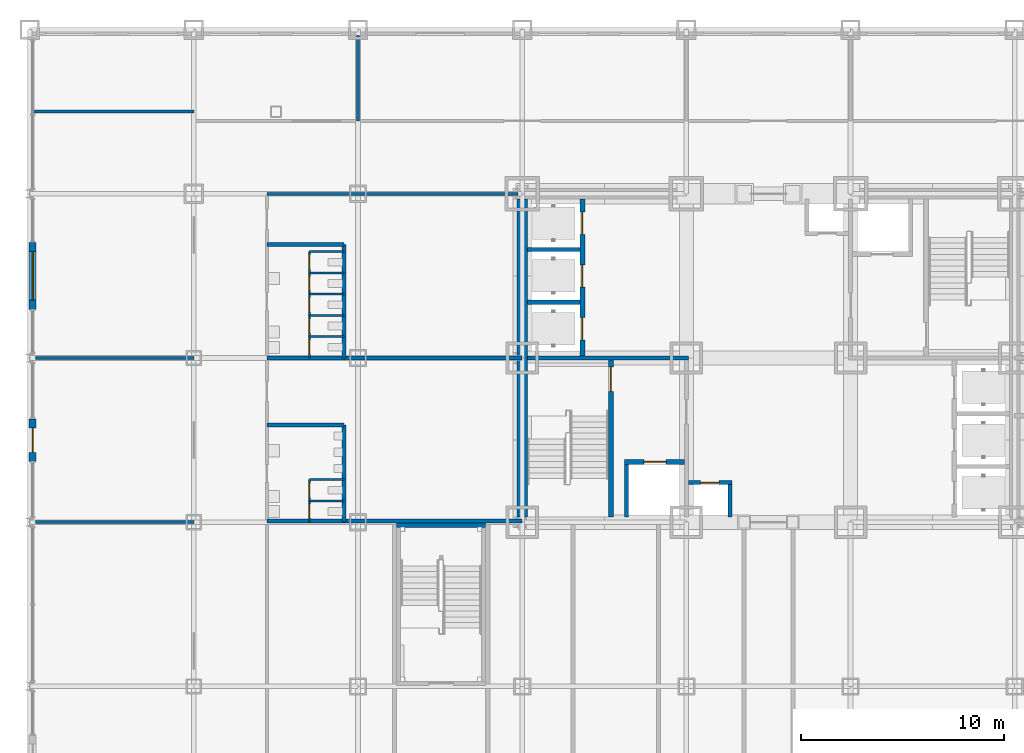
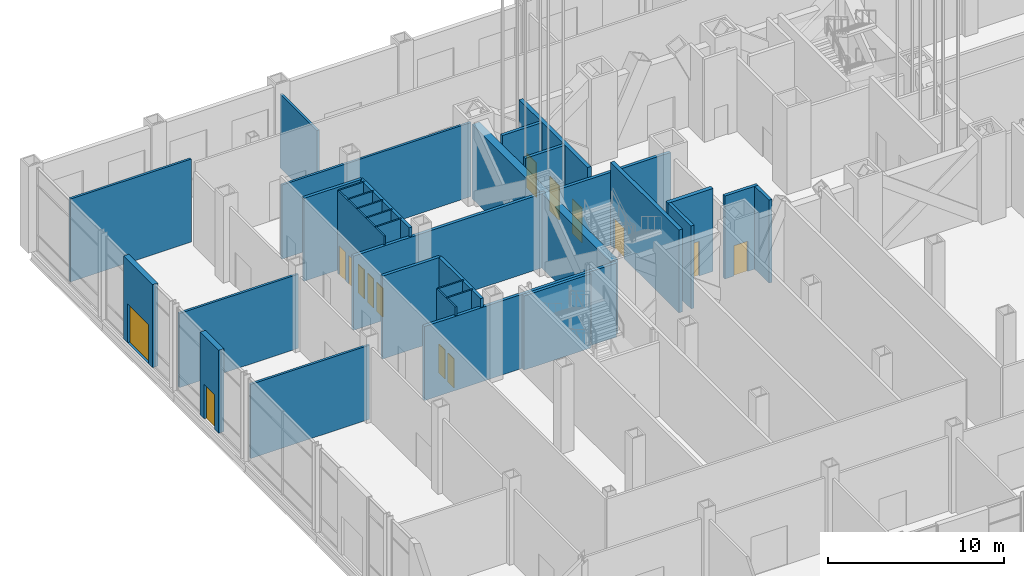
# One storey, part 24 of 35: 33 walls, 15 doors, 15 openings.
"""IFC4 building model written with IfcOpenShell, lengths in metres."""

from ifc_helpers import new_model, si_unit, direction, frame, frame_2d, origin, place, context, subcontext, project, spatial, rectangle, extrude, material, layer, layer_set, type_object, element, fill, save


model = new_model("IFC4")

# Units and contexts
model_context = context("Model", 3, precision=1e-05, world=origin(), true_north=direction((0.0, 1.0)))
body_context = subcontext(model_context, "Body", "Model", "MODEL_VIEW")
ifc_project = project(units=[si_unit("LENGTHUNIT", "METRE"), si_unit("AREAUNIT", "SQUARE_METRE"), si_unit("VOLUMEUNIT", "CUBIC_METRE"), si_unit("PLANEANGLEUNIT", "RADIAN"), si_unit("MASSUNIT", "GRAM", prefix="KILO")], contexts=[model_context])

# Site, building, storey
site_placement = place(None, origin())
site = spatial("IfcSite", under=ifc_project, at=site_placement, CompositionType="ELEMENT")
building_placement = place(site_placement, origin())
building = spatial("IfcBuilding", under=site, at=building_placement, Name="Kopane Lantern Tower", CompositionType="ELEMENT")
storey_placement = place(building_placement, origin())
storey = spatial("IfcBuildingStorey", under=building, at=storey_placement, Name="L00", CompositionType="ELEMENT", Elevation=0.0)

# Wall, openings, doors
ifc_material_1 = material(Name="Moisture-resistant board on steel studs", Category="steel")
ifc_layer_1 = layer(ifc_material_1, 0.10009765625)
ifc_layer_set_1 = layer_set([ifc_layer_1], Name="BATHROOM WALL 100")
wall_type_1 = type_object("IfcWallType", Name="BATHROOM WALL 100", PredefinedType="PARTITIONING", material=ifc_layer_set_1)
wall_1_placement = place(storey_placement, frame((5.699951171875, 24.300048828125, 0.0), z_axis=(0.0, 0.0, 1.0), x_axis=(0.0, 1.0, 0.0)))
wall_1 = element("IfcWall", 1, at=wall_1_placement, inside=storey, type_object=wall_type_1, Name="Bathroom Wall 100 L00", PredefinedType="PARTITIONING", context=body_context, shape_type="SweptSolid", body=[
    extrude(rectangle(XDim=2.099853515625, YDim=0.10009765625, at=frame_2d((1.0498046875, 0.0))), origin(), (0.0, 0.0, 1.0), 5.75),
])
opening_1_placement = place(wall_1_placement, frame((0.199951171875, 0.0, 0.0)))
opening_1 = element("IfcOpeningElement", 2, at=opening_1_placement, cuts=wall_1, Name="Opening L00-030", PredefinedType="OPENING", context=body_context, shape_type="SweptSolid", body=[
    extrude(rectangle(XDim=0.699951171875, YDim=2.0, at=frame_2d((0.35009765625, 1.0))), frame((0.0, 0.06005859375, 0.0), z_axis=(0.0, -1.0, 0.0), x_axis=(1.0, 0.0, 0.0)), (0.0, 0.0, 1.0), 0.1201171875),
])
opening_2_placement = place(wall_1_placement, frame((1.22509765625, 0.0, 0.0)))
opening_2 = element("IfcOpeningElement", 3, at=opening_2_placement, cuts=wall_1, Name="Opening L00-031", PredefinedType="OPENING", context=body_context, shape_type="SweptSolid", body=[
    extrude(rectangle(XDim=0.699951171875, YDim=2.0, at=frame_2d((0.35009765625, 1.0))), frame((0.0, 0.06005859375, 0.0), z_axis=(0.0, -1.0, 0.0), x_axis=(1.0, 0.0, 0.0)), (0.0, 0.0, 1.0), 0.1201171875),
])
ifc_material_2 = material(Name="Timber door set", Category="wood")
door_type_1 = type_object("IfcDoorType", Name="DOOR D13 700x2000 WC CUBICLE", OperationType="SINGLE_SWING_LEFT", PredefinedType="DOOR", material=ifc_material_2)
door_1_placement = place(opening_1_placement, origin())
door_1 = element("IfcDoor", 4, at=door_1_placement, inside=storey, type_object=door_type_1, Name="Door L00-030", OperationType="SINGLE_SWING_LEFT", OverallHeight=2.0, OverallWidth=0.699951171875, PredefinedType="DOOR", context=body_context, shape_type="SweptSolid", body=[
    extrude(rectangle(XDim=0.699951171875, YDim=2.0, at=frame_2d((0.35009765625, 1.0))), frame((0.0, 0.02490234375, 0.0), z_axis=(0.0, -1.0, 0.0), x_axis=(1.0, 0.0, 0.0)), (0.0, 0.0, 1.0), 0.050048828125),
])
fill(opening_1, door_1)
door_2_placement = place(opening_2_placement, origin())
door_2 = element("IfcDoor", 5, at=door_2_placement, inside=storey, type_object=door_type_1, Name="Door L00-031", OperationType="SINGLE_SWING_RIGHT", OverallHeight=2.0, OverallWidth=0.699951171875, PredefinedType="DOOR", context=body_context, shape_type="SweptSolid", body=[
    extrude(rectangle(XDim=0.699951171875, YDim=2.0, at=frame_2d((0.35009765625, 1.0))), frame((0.0, 0.02490234375, 0.0), z_axis=(0.0, -1.0, 0.0), x_axis=(1.0, 0.0, 0.0)), (0.0, 0.0, 1.0), 0.050048828125),
])
fill(opening_2, door_2)

# Walls
for number, where, z_axis, x_axis, name in (
    (6, (5.699951171875, 25.35009765625, 0.0), (0.0, 0.0, 1.0), (1.0, 0.0, 0.0), "Bathroom Wall 100 L00"),
    (7, (5.699951171875, 26.39990234375, 0.0), (0.0, 0.0, 1.0), (1.0, 0.0, 0.0), "Bathroom Wall 100 L00"),
):
    element("IfcWall", number, at=place(storey_placement, frame(where, z_axis=z_axis, x_axis=x_axis)), inside=storey, type_object=wall_type_1, Name=name, PredefinedType="PARTITIONING", context=body_context, shape_type="SweptSolid", body=[
        extrude(rectangle(XDim=1.699951171875, YDim=0.10009765625, at=frame_2d((0.85009765625, 0.0))), origin(), (0.0, 0.0, 1.0), 5.75),
    ])

# Wall, openings, doors
wall_2_placement = place(storey_placement, frame((5.699951171875, 32.39990234375, 0.0), z_axis=(0.0, 0.0, 1.0), x_axis=(0.0, 1.0, 0.0)))
wall_2 = element("IfcWall", 8, at=wall_2_placement, inside=storey, type_object=wall_type_1, Name="Bathroom Wall 100 L00", PredefinedType="PARTITIONING", context=body_context, shape_type="SweptSolid", body=[
    extrude(rectangle(XDim=5.25, YDim=0.10009765625, at=frame_2d((2.625, 0.0))), origin(), (0.0, 0.0, 1.0), 5.75),
])
opening_3_placement = place(wall_2_placement, frame((0.199951171875, 0.0, 0.0)))
opening_3 = element("IfcOpeningElement", 9, at=opening_3_placement, cuts=wall_2, Name="Opening L00-032", PredefinedType="OPENING", context=body_context, shape_type="SweptSolid", body=[
    extrude(rectangle(XDim=0.699951171875, YDim=2.0, at=frame_2d((0.35009765625, 1.0))), frame((0.0, 0.06005859375, 0.0), z_axis=(0.0, -1.0, 0.0), x_axis=(1.0, 0.0, 0.0)), (0.0, 0.0, 1.0), 0.1201171875),
])
opening_4_placement = place(wall_2_placement, frame((1.22509765625, 0.0, 0.0)))
opening_4 = element("IfcOpeningElement", 10, at=opening_4_placement, cuts=wall_2, Name="Opening L00-033", PredefinedType="OPENING", context=body_context, shape_type="SweptSolid", body=[
    extrude(rectangle(XDim=0.699951171875, YDim=2.0, at=frame_2d((0.35009765625, 1.0))), frame((0.0, 0.06005859375, 0.0), z_axis=(0.0, -1.0, 0.0), x_axis=(1.0, 0.0, 0.0)), (0.0, 0.0, 1.0), 0.1201171875),
])
opening_5_placement = place(wall_2_placement, frame((2.27490234375, 0.0, 0.0)))
opening_5 = element("IfcOpeningElement", 11, at=opening_5_placement, cuts=wall_2, Name="Opening L00-034", PredefinedType="OPENING", context=body_context, shape_type="SweptSolid", body=[
    extrude(rectangle(XDim=0.699951171875, YDim=2.0, at=frame_2d((0.35009765625, 1.0))), frame((0.0, 0.06005859375, 0.0), z_axis=(0.0, -1.0, 0.0), x_axis=(1.0, 0.0, 0.0)), (0.0, 0.0, 1.0), 0.1201171875),
])
opening_6_placement = place(wall_2_placement, frame((3.324951171875, 0.0, 0.0)))
opening_6 = element("IfcOpeningElement", 12, at=opening_6_placement, cuts=wall_2, Name="Opening L00-035", PredefinedType="OPENING", context=body_context, shape_type="SweptSolid", body=[
    extrude(rectangle(XDim=0.699951171875, YDim=2.0, at=frame_2d((0.35009765625, 1.0))), frame((0.0, 0.06005859375, 0.0), z_axis=(0.0, -1.0, 0.0), x_axis=(1.0, 0.0, 0.0)), (0.0, 0.0, 1.0), 0.1201171875),
])
opening_7_placement = place(wall_2_placement, frame((4.375, 0.0, 0.0)))
opening_7 = element("IfcOpeningElement", 13, at=opening_7_placement, cuts=wall_2, Name="Opening L00-036", PredefinedType="OPENING", context=body_context, shape_type="SweptSolid", body=[
    extrude(rectangle(XDim=0.699951171875, YDim=2.0, at=frame_2d((0.35009765625, 1.0))), frame((0.0, 0.06005859375, 0.0), z_axis=(0.0, -1.0, 0.0), x_axis=(1.0, 0.0, 0.0)), (0.0, 0.0, 1.0), 0.1201171875),
])
door_3_placement = place(opening_3_placement, origin())
door_3 = element("IfcDoor", 14, at=door_3_placement, inside=storey, type_object=door_type_1, Name="Door L00-032", OperationType="SINGLE_SWING_LEFT", OverallHeight=2.0, OverallWidth=0.699951171875, PredefinedType="DOOR", context=body_context, shape_type="SweptSolid", body=[
    extrude(rectangle(XDim=0.699951171875, YDim=2.0, at=frame_2d((0.35009765625, 1.0))), frame((0.0, 0.02490234375, 0.0), z_axis=(0.0, -1.0, 0.0), x_axis=(1.0, 0.0, 0.0)), (0.0, 0.0, 1.0), 0.050048828125),
])
fill(opening_3, door_3)
door_4_placement = place(opening_4_placement, origin())
door_4 = element("IfcDoor", 15, at=door_4_placement, inside=storey, type_object=door_type_1, Name="Door L00-033", OperationType="SINGLE_SWING_RIGHT", OverallHeight=2.0, OverallWidth=0.699951171875, PredefinedType="DOOR", context=body_context, shape_type="SweptSolid", body=[
    extrude(rectangle(XDim=0.699951171875, YDim=2.0, at=frame_2d((0.35009765625, 1.0))), frame((0.0, 0.02490234375, 0.0), z_axis=(0.0, -1.0, 0.0), x_axis=(1.0, 0.0, 0.0)), (0.0, 0.0, 1.0), 0.050048828125),
])
fill(opening_4, door_4)
door_5_placement = place(opening_5_placement, origin())
door_5 = element("IfcDoor", 16, at=door_5_placement, inside=storey, type_object=door_type_1, Name="Door L00-034", OperationType="SINGLE_SWING_LEFT", OverallHeight=2.0, OverallWidth=0.699951171875, PredefinedType="DOOR", context=body_context, shape_type="SweptSolid", body=[
    extrude(rectangle(XDim=0.699951171875, YDim=2.0, at=frame_2d((0.35009765625, 1.0))), frame((0.0, 0.02490234375, 0.0), z_axis=(0.0, -1.0, 0.0), x_axis=(1.0, 0.0, 0.0)), (0.0, 0.0, 1.0), 0.050048828125),
])
fill(opening_5, door_5)
door_6_placement = place(opening_6_placement, origin())
door_6 = element("IfcDoor", 17, at=door_6_placement, inside=storey, type_object=door_type_1, Name="Door L00-035", OperationType="SINGLE_SWING_RIGHT", OverallHeight=2.0, OverallWidth=0.699951171875, PredefinedType="DOOR", context=body_context, shape_type="SweptSolid", body=[
    extrude(rectangle(XDim=0.699951171875, YDim=2.0, at=frame_2d((0.35009765625, 1.0))), frame((0.0, 0.02490234375, 0.0), z_axis=(0.0, -1.0, 0.0), x_axis=(1.0, 0.0, 0.0)), (0.0, 0.0, 1.0), 0.050048828125),
])
fill(opening_6, door_6)
door_7_placement = place(opening_7_placement, origin())
door_7 = element("IfcDoor", 18, at=door_7_placement, inside=storey, type_object=door_type_1, Name="Door L00-036", OperationType="SINGLE_SWING_LEFT", OverallHeight=2.0, OverallWidth=0.699951171875, PredefinedType="DOOR", context=body_context, shape_type="SweptSolid", body=[
    extrude(rectangle(XDim=0.699951171875, YDim=2.0, at=frame_2d((0.35009765625, 1.0))), frame((0.0, 0.02490234375, 0.0), z_axis=(0.0, -1.0, 0.0), x_axis=(1.0, 0.0, 0.0)), (0.0, 0.0, 1.0), 0.050048828125),
])
fill(opening_7, door_7)

# Walls
for number, where, z_axis, x_axis, name in (
    (19, (5.699951171875, 33.449951171875, 0.0), (0.0, 0.0, 1.0), (1.0, 0.0, 0.0), "Bathroom Wall 100 L00"),
    (20, (5.699951171875, 34.5, 0.0), (0.0, 0.0, 1.0), (1.0, 0.0, 0.0), "Bathroom Wall 100 L00"),
    (21, (5.699951171875, 35.550048828125, 0.0), (0.0, 0.0, 1.0), (1.0, 0.0, 0.0), "Bathroom Wall 100 L00"),
    (22, (5.699951171875, 36.60009765625, 0.0), (0.0, 0.0, 1.0), (1.0, 0.0, 0.0), "Bathroom Wall 100 L00"),
    (23, (5.699951171875, 37.64990234375, 0.0), (0.0, 0.0, 1.0), (1.0, 0.0, 0.0), "Bathroom Wall 100 L00"),
):
    element("IfcWall", number, at=place(storey_placement, frame(where, z_axis=z_axis, x_axis=x_axis)), inside=storey, type_object=wall_type_1, Name=name, PredefinedType="PARTITIONING", context=body_context, shape_type="SweptSolid", body=[
        extrude(rectangle(XDim=1.699951171875, YDim=0.10009765625, at=frame_2d((0.85009765625, 0.0))), origin(), (0.0, 0.0, 1.0), 5.75),
    ])
ifc_material_3 = material(Name="Gypsum shaft wall EI 120", Category="gypsum")
ifc_layer_2 = layer(ifc_material_3, 0.5)
ifc_layer_set_2 = layer_set([ifc_layer_2], Name="CORE PERIMETER WALL 500 EI 120")
wall_type_2 = type_object("IfcWallType", Name="CORE PERIMETER WALL 500 EI 120", PredefinedType="SOLIDWALL", material=ifc_layer_set_2)
wall_3_placement = place(storey_placement, frame((16.199951171875, 24.550048828125, 0.0), z_axis=(0.0, 0.0, 1.0), x_axis=(0.0, 1.0, 0.0)))
element("IfcWall", 24, at=wall_3_placement, inside=storey, type_object=wall_type_2, Name="Core shaft wall L00 PW", PredefinedType="SOLIDWALL", context=body_context, shape_type="SweptSolid", body=[
    extrude(rectangle(XDim=15.699951171875, YDim=0.5, at=frame_2d((7.85009765625, 0.0))), origin(), (0.0, 0.0, 1.0), 5.1376953125),
])

# Wall, opening, door
ifc_material_4 = material(Name="Gypsum shaft wall EI 120", Category="gypsum")
ifc_layer_3 = layer(ifc_material_4, 0.25)
ifc_layer_set_3 = layer_set([ifc_layer_3], Name="CORE SHAFT WALL 250 EI 120")
wall_type_3 = type_object("IfcWallType", Name="CORE SHAFT WALL 250 EI 120", PredefinedType="SOLIDWALL", material=ifc_layer_set_3)
wall_4_placement = place(storey_placement, frame((20.574951171875, 24.550048828125, 0.0), z_axis=(0.0, 0.0, 1.0), x_axis=(0.0, 1.0, 0.0)))
wall_4 = element("IfcWall", 25, at=wall_4_placement, inside=storey, type_object=wall_type_3, Name="Core shaft wall L00 XST1", PredefinedType="SOLIDWALL", context=body_context, shape_type="SweptSolid", body=[
    extrude(rectangle(XDim=7.75, YDim=0.25, at=frame_2d((3.875, 0.0))), origin(), (0.0, 0.0, 1.0), 5.75),
])
opening_8_placement = place(wall_4_placement, frame((6.199951171875, 0.0, 0.0)))
opening_8 = element("IfcOpeningElement", 26, at=opening_8_placement, cuts=wall_4, Name="Opening 00.SD1", PredefinedType="OPENING", context=body_context, shape_type="SweptSolid", body=[
    extrude(rectangle(XDim=1.199951171875, YDim=2.10009765625, at=frame_2d((0.60009765625, 1.050048828125))), frame((0.0, 0.135009765625, 0.0), z_axis=(0.0, -1.0, 0.0), x_axis=(1.0, 0.0, 0.0)), (0.0, 0.0, 1.0), 0.27001953125),
])
ifc_material_5 = material(Name="Steel door set", Category="steel")
door_type_2 = type_object("IfcDoorType", Name="STAIR DOOR 1200x2100 FD60S", OperationType="SINGLE_SWING_LEFT", PredefinedType="DOOR", material=ifc_material_5)
door_8_placement = place(opening_8_placement, origin())
door_8 = element("IfcDoor", 27, at=door_8_placement, inside=storey, type_object=door_type_2, Name="Stair door ST1 L00", OperationType="SINGLE_SWING_LEFT", OverallHeight=2.10009765625, OverallWidth=1.199951171875, PredefinedType="DOOR", context=body_context, shape_type="SweptSolid", body=[
    extrude(rectangle(XDim=1.199951171875, YDim=2.10009765625, at=frame_2d((0.60009765625, 1.050048828125))), frame((0.0, 0.02490234375, 0.0), z_axis=(0.0, -1.0, 0.0), x_axis=(1.0, 0.0, 0.0)), (0.0, 0.0, 1.0), 0.050048828125),
])
fill(opening_8, door_8)

wall_5_placement = place(storey_placement, frame((21.25, 27.27490234375, 0.0), z_axis=(0.0, 0.0, 1.0), x_axis=(1.0, 0.0, 0.0)))
wall_5 = element("IfcWall", 28, at=wall_5_placement, inside=storey, type_object=wall_type_3, Name="Core shaft wall L00 YLF1", PredefinedType="SOLIDWALL", context=body_context, shape_type="SweptSolid", body=[
    extrude(rectangle(XDim=2.949951171875, YDim=0.25, at=frame_2d((1.47509765625, 0.0))), origin(), (0.0, 0.0, 1.0), 5.75),
])
opening_9_placement = place(wall_5_placement, frame((0.949951171875, 0.0, 0.0)))
opening_9 = element("IfcOpeningElement", 29, at=opening_9_placement, cuts=wall_5, Name="Opening 00.LD-LF1", PredefinedType="OPENING", context=body_context, shape_type="SweptSolid", body=[
    extrude(rectangle(XDim=1.10009765625, YDim=2.39990234375, at=frame_2d((0.550048828125, 1.199951171875))), frame((0.0, 0.135009765625, 0.0), z_axis=(0.0, -1.0, 0.0), x_axis=(1.0, 0.0, 0.0)), (0.0, 0.0, 1.0), 0.27001953125),
])
ifc_material_6 = material(Name="Steel door set", Category="steel")
door_type_3 = type_object("IfcDoorType", Name="LIFT LANDING DOOR 1100x2400 FD60", OperationType="DOUBLE_DOOR_SLIDING", PredefinedType="DOOR", material=ifc_material_6)
door_9_placement = place(opening_9_placement, origin())
door_9 = element("IfcDoor", 30, at=door_9_placement, inside=storey, type_object=door_type_3, Name="Landing door LF1 L00", OperationType="DOUBLE_DOOR_SLIDING", OverallHeight=2.39990234375, OverallWidth=1.10009765625, PredefinedType="DOOR", context=body_context, shape_type="SweptSolid", body=[
    extrude(rectangle(XDim=1.10009765625, YDim=2.39990234375, at=frame_2d((0.550048828125, 1.199951171875))), frame((0.0, 0.02490234375, 0.0), z_axis=(0.0, -1.0, 0.0), x_axis=(1.0, 0.0, 0.0)), (0.0, 0.0, 1.0), 0.050048828125),
])
fill(opening_9, door_9)

# Wall, openings, doors
wall_6_placement = place(storey_placement, frame((19.175048828125, 32.5, 0.0), z_axis=(0.0, 0.0, 1.0), x_axis=(0.0, 1.0, 0.0)))
wall_6 = element("IfcWall", 31, at=wall_6_placement, inside=storey, type_object=wall_type_3, Name="Core shaft wall L00 XLH", PredefinedType="SOLIDWALL", context=body_context, shape_type="SweptSolid", body=[
    extrude(rectangle(XDim=7.75, YDim=0.25, at=frame_2d((3.875, 0.0))), origin(), (0.0, 0.0, 1.0), 5.75),
])
opening_10_placement = place(wall_6_placement, frame((0.800048828125, 0.0, 0.0)))
opening_10 = element("IfcOpeningElement", 32, at=opening_10_placement, cuts=wall_6, Name="Opening 00.LD-LH1", PredefinedType="OPENING", context=body_context, shape_type="SweptSolid", body=[
    extrude(rectangle(XDim=1.10009765625, YDim=2.39990234375, at=frame_2d((0.550048828125, 1.199951171875))), frame((0.0, 0.135009765625, 0.0), z_axis=(0.0, -1.0, 0.0), x_axis=(1.0, 0.0, 0.0)), (0.0, 0.0, 1.0), 0.27001953125),
])
opening_11_placement = place(wall_6_placement, frame((3.39990234375, 0.0, 0.0)))
opening_11 = element("IfcOpeningElement", 33, at=opening_11_placement, cuts=wall_6, Name="Opening 00.LD-LH2", PredefinedType="OPENING", context=body_context, shape_type="SweptSolid", body=[
    extrude(rectangle(XDim=1.10009765625, YDim=2.39990234375, at=frame_2d((0.550048828125, 1.199951171875))), frame((0.0, 0.135009765625, 0.0), z_axis=(0.0, -1.0, 0.0), x_axis=(1.0, 0.0, 0.0)), (0.0, 0.0, 1.0), 0.27001953125),
])
opening_12_placement = place(wall_6_placement, frame((6.0, 0.0, 0.0)))
opening_12 = element("IfcOpeningElement", 34, at=opening_12_placement, cuts=wall_6, Name="Opening 00.LD-LH3", PredefinedType="OPENING", context=body_context, shape_type="SweptSolid", body=[
    extrude(rectangle(XDim=1.10009765625, YDim=2.39990234375, at=frame_2d((0.550048828125, 1.199951171875))), frame((0.0, 0.135009765625, 0.0), z_axis=(0.0, -1.0, 0.0), x_axis=(1.0, 0.0, 0.0)), (0.0, 0.0, 1.0), 0.27001953125),
])
door_10_placement = place(opening_10_placement, origin())
door_10 = element("IfcDoor", 35, at=door_10_placement, inside=storey, type_object=door_type_3, Name="Landing door LH1 L00", OperationType="DOUBLE_DOOR_SLIDING", OverallHeight=2.39990234375, OverallWidth=1.10009765625, PredefinedType="DOOR", context=body_context, shape_type="SweptSolid", body=[
    extrude(rectangle(XDim=1.10009765625, YDim=2.39990234375, at=frame_2d((0.550048828125, 1.199951171875))), frame((0.0, 0.02490234375, 0.0), z_axis=(0.0, -1.0, 0.0), x_axis=(1.0, 0.0, 0.0)), (0.0, 0.0, 1.0), 0.050048828125),
])
fill(opening_10, door_10)
door_11_placement = place(opening_11_placement, origin())
door_11 = element("IfcDoor", 36, at=door_11_placement, inside=storey, type_object=door_type_3, Name="Landing door LH2 L00", OperationType="DOUBLE_DOOR_SLIDING", OverallHeight=2.39990234375, OverallWidth=1.10009765625, PredefinedType="DOOR", context=body_context, shape_type="SweptSolid", body=[
    extrude(rectangle(XDim=1.10009765625, YDim=2.39990234375, at=frame_2d((0.550048828125, 1.199951171875))), frame((0.0, 0.02490234375, 0.0), z_axis=(0.0, -1.0, 0.0), x_axis=(1.0, 0.0, 0.0)), (0.0, 0.0, 1.0), 0.050048828125),
])
fill(opening_11, door_11)
door_12_placement = place(opening_12_placement, origin())
door_12 = element("IfcDoor", 37, at=door_12_placement, inside=storey, type_object=door_type_3, Name="Landing door LH3 L00", OperationType="DOUBLE_DOOR_SLIDING", OverallHeight=2.39990234375, OverallWidth=1.10009765625, PredefinedType="DOOR", context=body_context, shape_type="SweptSolid", body=[
    extrude(rectangle(XDim=1.10009765625, YDim=2.39990234375, at=frame_2d((0.550048828125, 1.199951171875))), frame((0.0, 0.02490234375, 0.0), z_axis=(0.0, -1.0, 0.0), x_axis=(1.0, 0.0, 0.0)), (0.0, 0.0, 1.0), 0.050048828125),
])
fill(opening_12, door_12)

# Walls
ifc_material_7 = material(Name="Gypsum board on steel studs", Category="steel")
ifc_layer_4 = layer(ifc_material_7, 0.14990234375)
ifc_layer_set_4 = layer_set([ifc_layer_4], Name="CORRIDOR WALL 150 EI 60")
wall_type_4 = type_object("IfcWallType", Name="CORRIDOR WALL 150 EI 60", PredefinedType="PARTITIONING", material=ifc_layer_set_4)
wall_7_placement = place(storey_placement, frame((16.0, 40.5, 0.0), z_axis=(0.0, 0.0, 1.0), x_axis=(-1.0, 0.0, 0.0)))
element("IfcWall", 38, at=wall_7_placement, inside=storey, type_object=wall_type_4, Name="Corridor Wall 150 Ei 60 L00", PredefinedType="PARTITIONING", context=body_context, shape_type="SweptSolid", body=[
    extrude(rectangle(XDim=12.39990234375, YDim=0.14990234375, at=frame_2d((6.199951171875, 0.0))), origin(), (0.0, 0.0, 1.0), 5.1376953125),
])
ifc_material_8 = material(Name="Gypsum board on steel studs", Category="steel")
ifc_layer_5 = layer(ifc_material_8, 0.14990234375)
ifc_layer_set_5 = layer_set([ifc_layer_5], Name="DEMISING WALL 150 EI 60")
wall_type_5 = type_object("IfcWallType", Name="DEMISING WALL 150 EI 60", PredefinedType="PARTITIONING", material=ifc_layer_set_5)
for number, where, z_axis, x_axis, name in (
    (39, (0.0, 24.300048828125, 0.0), (0.0, 0.0, 1.0), (-1.0, 0.0, 0.0), "Demising Wall 150 Ei 60 L00"),
    (40, (0.0, 32.39990234375, 0.0), (0.0, 0.0, 1.0), (-1.0, 0.0, 0.0), "Demising Wall 150 Ei 60 L00"),
):
    element("IfcWall", number, at=place(storey_placement, frame(where, z_axis=z_axis, x_axis=x_axis)), inside=storey, type_object=wall_type_5, Name=name, PredefinedType="PARTITIONING", context=body_context, shape_type="SweptSolid", body=[
        extrude(rectangle(XDim=7.800048828125, YDim=0.14990234375, at=frame_2d((3.89990234375, 0.0))), origin(), (0.0, 0.0, 1.0), 5.1376953125),
    ])
wall_8_placement = place(storey_placement, frame((-7.930908203125, 44.550048828125, 0.0), z_axis=(0.0, 0.0, 1.0), x_axis=(1.0, 0.0, 0.0)))
element("IfcWall", 41, at=wall_8_placement, inside=storey, type_object=wall_type_5, Name="Demising Wall 150 Ei 60 L00", PredefinedType="PARTITIONING", context=body_context, shape_type="SweptSolid", body=[
    extrude(rectangle(XDim=7.930908203125, YDim=0.14990234375, at=frame_2d((3.96533203125, 0.0))), origin(), (0.0, 0.0, 1.0), 5.75),
])
wall_9_placement = place(storey_placement, frame((8.10009765625, 44.10009765625, 0.0), z_axis=(0.0, 0.0, 1.0), x_axis=(0.0, 1.0, 0.0)))
element("IfcWall", 42, at=wall_9_placement, inside=storey, type_object=wall_type_5, Name="Demising Wall 150 Ei 60 L00", PredefinedType="PARTITIONING", context=body_context, shape_type="SweptSolid", body=[
    extrude(rectangle(XDim=4.199951171875, YDim=0.14990234375, at=frame_2d((2.10009765625, 0.0))), origin(), (0.0, 0.0, 1.0), 5.1376953125),
])

# Wall, opening, door
ifc_material_9 = material(Name="Terracotta rainscreen on light steel framing", Category="masonry")
ifc_layer_6 = layer(ifc_material_9, 0.35009765625)
ifc_layer_set_6 = layer_set([ifc_layer_6], Name="ENTRANCE PIER WALL EW2 300 TERRACOTTA")
wall_type_6 = type_object("IfcWallType", Name="ENTRANCE PIER WALL EW2 300 TERRACOTTA", PredefinedType="SOLIDWALL", material=ifc_layer_set_6)
wall_10_placement = place(storey_placement, frame((-7.949951171875, 38.10009765625, 0.0), z_axis=(0.0, 0.0, 1.0), x_axis=(0.0, -1.0, 0.0)))
wall_10 = element("IfcWall", 43, at=wall_10_placement, inside=storey, type_object=wall_type_6, Name="Entrance wall W L00", PredefinedType="SOLIDWALL", context=body_context, shape_type="SweptSolid", body=[
    extrude(rectangle(XDim=3.300048828125, YDim=0.35009765625, at=frame_2d((1.64990234375, 0.0))), origin(), (0.0, 0.0, 1.0), 5.75),
])
opening_13_placement = place(wall_10_placement, frame((0.449951171875, 0.0, 0.0)))
opening_13 = element("IfcOpeningElement", 44, at=opening_13_placement, cuts=wall_10, Name="Opening L00-E06", PredefinedType="OPENING", context=body_context, shape_type="SweptSolid", body=[
    extrude(rectangle(XDim=2.39990234375, YDim=2.699951171875, at=frame_2d((1.199951171875, 1.35009765625))), frame((0.0, 0.18505859375, 0.0), z_axis=(0.0, -1.0, 0.0), x_axis=(1.0, 0.0, 0.0)), (0.0, 0.0, 1.0), 0.3701171875),
])
ifc_material_10 = material(Name="Aluminium and clear glass door set", Category="aluminium")
door_type_4 = type_object("IfcDoorType", Name="ENTRANCE DOOR ED2427 2400x2700", OperationType="DOUBLE_DOOR_SINGLE_SWING", PredefinedType="DOOR", material=ifc_material_10)
door_13_placement = place(opening_13_placement, origin())
door_13 = element("IfcDoor", 45, at=door_13_placement, inside=storey, type_object=door_type_4, Name="Door L00-E06", OperationType="DOUBLE_DOOR_SINGLE_SWING", OverallHeight=2.699951171875, OverallWidth=2.39990234375, PredefinedType="DOOR", context=body_context, shape_type="SweptSolid", body=[
    extrude(rectangle(XDim=2.39990234375, YDim=2.699951171875, at=frame_2d((1.199951171875, 1.35009765625))), frame((0.0, 0.02490234375, 0.0), z_axis=(0.0, -1.0, 0.0), x_axis=(1.0, 0.0, 0.0)), (0.0, 0.0, 1.0), 0.050048828125),
])
fill(opening_13, door_13)

wall_11_placement = place(storey_placement, frame((-7.949951171875, 29.39990234375, 0.0), z_axis=(0.0, 0.0, 1.0), x_axis=(0.0, -1.0, 0.0)))
wall_11 = element("IfcWall", 46, at=wall_11_placement, inside=storey, type_object=wall_type_6, Name="Entrance wall W L00", PredefinedType="SOLIDWALL", context=body_context, shape_type="SweptSolid", body=[
    extrude(rectangle(XDim=2.099853515625, YDim=0.35009765625, at=frame_2d((1.0498046875, 0.0))), origin(), (0.0, 0.0, 1.0), 5.75),
])
opening_14_placement = place(wall_11_placement, frame((0.449951171875, 0.0, 0.0)))
opening_14 = element("IfcOpeningElement", 47, at=opening_14_placement, cuts=wall_11, Name="Opening L00-E05", PredefinedType="OPENING", context=body_context, shape_type="SweptSolid", body=[
    extrude(rectangle(XDim=1.199951171875, YDim=2.39990234375, at=frame_2d((0.60009765625, 1.199951171875))), frame((0.0, 0.18505859375, 0.0), z_axis=(0.0, -1.0, 0.0), x_axis=(1.0, 0.0, 0.0)), (0.0, 0.0, 1.0), 0.3701171875),
])
ifc_material_11 = material(Name="Aluminium and clear glass door set", Category="aluminium")
door_type_5 = type_object("IfcDoorType", Name="ENTRANCE DOOR ED1224 1200x2400", OperationType="SINGLE_SWING_LEFT", PredefinedType="DOOR", material=ifc_material_11)
door_14_placement = place(opening_14_placement, origin())
door_14 = element("IfcDoor", 48, at=door_14_placement, inside=storey, type_object=door_type_5, Name="Door L00-E05", OperationType="SINGLE_SWING_RIGHT", OverallHeight=2.39990234375, OverallWidth=1.199951171875, PredefinedType="DOOR", context=body_context, shape_type="SweptSolid", body=[
    extrude(rectangle(XDim=1.199951171875, YDim=2.39990234375, at=frame_2d((0.60009765625, 1.199951171875))), frame((0.0, 0.02490234375, 0.0), z_axis=(0.0, -1.0, 0.0), x_axis=(1.0, 0.0, 0.0)), (0.0, 0.0, 1.0), 0.050048828125),
])
fill(opening_14, door_14)

# Walls
ifc_material_12 = material(Name="Concrete masonry", Category="masonry")
ifc_layer_7 = layer(ifc_material_12, 0.199951171875)
ifc_layer_set_7 = layer_set([ifc_layer_7], Name="PLANT ROOM WALL 200 EI 120")
wall_type_7 = type_object("IfcWallType", Name="PLANT ROOM WALL 200 EI 120", PredefinedType="SOLIDWALL", material=ifc_layer_set_7)
wall_12_placement = place(storey_placement, frame((3.60009765625, 32.39990234375, 0.0), z_axis=(0.0, 0.0, 1.0), x_axis=(1.0, 0.0, 0.0)))
element("IfcWall", 49, at=wall_12_placement, inside=storey, type_object=wall_type_7, Name="Plant Room Wall 200 Ei 120 L00", PredefinedType="SOLIDWALL", context=body_context, shape_type="SweptSolid", body=[
    extrude(rectangle(XDim=12.599853515625, YDim=0.199951171875, at=frame_2d((6.2998046875, 0.0))), origin(), (0.0, 0.0, 1.0), 5.1376953125),
])
wall_13_placement = place(storey_placement, frame((3.60009765625, 29.10009765625, 0.0), z_axis=(0.0, 0.0, 1.0), x_axis=(1.0, 0.0, 0.0)))
element("IfcWall", 50, at=wall_13_placement, inside=storey, type_object=wall_type_7, Name="Plant Room Wall 200 Ei 120 L00", PredefinedType="SOLIDWALL", context=body_context, shape_type="SweptSolid", body=[
    extrude(rectangle(XDim=3.7998046875, YDim=0.199951171875, at=frame_2d((1.89990234375, 0.0))), origin(), (0.0, 0.0, 1.0), 5.75),
])
wall_14_placement = place(storey_placement, frame((7.39990234375, 24.300048828125, 0.0), z_axis=(0.0, 0.0, 1.0), x_axis=(0.0, 1.0, 0.0)))
element("IfcWall", 51, at=wall_14_placement, inside=storey, type_object=wall_type_7, Name="Plant Room Wall 200 Ei 120 L00", PredefinedType="SOLIDWALL", context=body_context, shape_type="SweptSolid", body=[
    extrude(rectangle(XDim=4.800048828125, YDim=0.199951171875, at=frame_2d((2.39990234375, 0.0))), origin(), (0.0, 0.0, 1.0), 5.75),
])
wall_15_placement = place(storey_placement, frame((3.60009765625, 38.0, 0.0), z_axis=(0.0, 0.0, 1.0), x_axis=(1.0, 0.0, 0.0)))
element("IfcWall", 52, at=wall_15_placement, inside=storey, type_object=wall_type_7, Name="Plant Room Wall 200 Ei 120 L00", PredefinedType="SOLIDWALL", context=body_context, shape_type="SweptSolid", body=[
    extrude(rectangle(XDim=3.7998046875, YDim=0.199951171875, at=frame_2d((1.89990234375, 0.0))), origin(), (0.0, 0.0, 1.0), 5.75),
])
wall_16_placement = place(storey_placement, frame((7.39990234375, 32.39990234375, 0.0), z_axis=(0.0, 0.0, 1.0), x_axis=(0.0, 1.0, 0.0)))
element("IfcWall", 53, at=wall_16_placement, inside=storey, type_object=wall_type_7, Name="Plant Room Wall 200 Ei 120 L00", PredefinedType="SOLIDWALL", context=body_context, shape_type="SweptSolid", body=[
    extrude(rectangle(XDim=5.60009765625, YDim=0.199951171875, at=frame_2d((2.800048828125, 0.0))), origin(), (0.0, 0.0, 1.0), 5.75),
])
wall_17_placement = place(storey_placement, frame((3.60009765625, 24.35009765625, 0.0), z_axis=(0.0, 0.0, 1.0), x_axis=(1.0, 0.0, 0.0)))
element("IfcWall", 54, at=wall_17_placement, inside=storey, type_object=wall_type_7, Name="Plant Room Wall 200 Ei 120 L00", PredefinedType="SOLIDWALL", context=body_context, shape_type="SweptSolid", body=[
    extrude(rectangle(XDim=12.599853515625, YDim=0.199951171875, at=frame_2d((6.2998046875, 0.0))), origin(), (0.0, 0.0, 1.0), 5.1376953125),
])
ifc_material_13 = material(Name="Gypsum shaft wall EI 120", Category="gypsum")
ifc_layer_8 = layer(ifc_material_13, 0.199951171875)
ifc_layer_set_8 = layer_set([ifc_layer_8], Name="SHAFT WALL 200 EI 120")
wall_type_8 = type_object("IfcWallType", Name="SHAFT WALL 200 EI 120", PredefinedType="SOLIDWALL", material=ifc_layer_set_8)
wall_18_placement = place(storey_placement, frame((16.449951171875, 32.39990234375, 0.0), z_axis=(0.0, 0.0, 1.0), x_axis=(1.0, 0.0, 0.0)))
element("IfcWall", 55, at=wall_18_placement, inside=storey, type_object=wall_type_8, Name="Core shaft wall L00 Y324W", PredefinedType="SOLIDWALL", context=body_context, shape_type="SweptSolid", body=[
    extrude(rectangle(XDim=7.949951171875, YDim=0.199951171875, at=frame_2d((3.97509765625, 0.0))), origin(), (0.0, 0.0, 1.0), 5.050048828125),
])
wall_19_placement = place(storey_placement, frame((21.35009765625, 24.550048828125, 0.0), z_axis=(0.0, 0.0, 1.0), x_axis=(0.0, 1.0, 0.0)))
element("IfcWall", 56, at=wall_19_placement, inside=storey, type_object=wall_type_8, Name="Core shaft wall L00 XLF1", PredefinedType="SOLIDWALL", context=body_context, shape_type="SweptSolid", body=[
    extrude(rectangle(XDim=2.599853515625, YDim=0.199951171875, at=frame_2d((1.2998046875, 0.0))), origin(), (0.0, 0.0, 1.0), 5.75),
])
for number, where, z_axis, x_axis, name in (
    (57, (16.449951171875, 35.14990234375, 0.0), (0.0, 0.0, 1.0), (1.0, 0.0, 0.0), "Core shaft wall L00 YLH12"),
    (58, (16.449951171875, 37.75, 0.0), (0.0, 0.0, 1.0), (1.0, 0.0, 0.0), "Core shaft wall L00 YLH23"),
):
    element("IfcWall", number, at=place(storey_placement, frame(where, z_axis=z_axis, x_axis=x_axis)), inside=storey, type_object=wall_type_8, Name=name, PredefinedType="SOLIDWALL", context=body_context, shape_type="SweptSolid", body=[
        extrude(rectangle(XDim=2.60009765625, YDim=0.199951171875, at=frame_2d((1.300048828125, 0.0))), origin(), (0.0, 0.0, 1.0), 5.75),
    ])
wall_20_placement = place(storey_placement, frame((26.449951171875, 24.550048828125, 0.0), z_axis=(0.0, 0.0, 1.0), x_axis=(0.0, 1.0, 0.0)))
element("IfcWall", 59, at=wall_20_placement, inside=storey, type_object=wall_type_8, Name="Core shaft wall L00 XRS1", PredefinedType="SOLIDWALL", context=body_context, shape_type="SweptSolid", body=[
    extrude(rectangle(XDim=1.599853515625, YDim=0.199951171875, at=frame_2d((0.7998046875, 0.0))), origin(), (0.0, 0.0, 1.0), 5.75),
])

# Wall, opening, door
wall_21_placement = place(storey_placement, frame((24.39990234375, 26.25, 0.0), z_axis=(0.0, 0.0, 1.0), x_axis=(1.0, 0.0, 0.0)))
wall_21 = element("IfcWall", 60, at=wall_21_placement, inside=storey, type_object=wall_type_8, Name="Core shaft wall L00 YRS1", PredefinedType="SOLIDWALL", context=body_context, shape_type="SweptSolid", body=[
    extrude(rectangle(XDim=2.150146484375, YDim=0.199951171875, at=frame_2d((1.0751953125, 0.0))), origin(), (0.0, 0.0, 1.0), 5.75),
])
opening_15_placement = place(wall_21_placement, frame((0.60009765625, 0.0, 0.0)))
opening_15 = element("IfcOpeningElement", 61, at=opening_15_placement, cuts=wall_21, Name="Opening 00.RS1", PredefinedType="OPENING", context=body_context, shape_type="SweptSolid", body=[
    extrude(rectangle(XDim=0.89990234375, YDim=2.10009765625, at=frame_2d((0.449951171875, 1.050048828125))), frame((0.0, 0.10986328125, 0.0), z_axis=(0.0, -1.0, 0.0), x_axis=(1.0, 0.0, 0.0)), (0.0, 0.0, 1.0), 0.219970703125),
])
ifc_material_14 = material(Name="Steel door set", Category="steel")
door_type_6 = type_object("IfcDoorType", Name="RISER ACCESS DOOR 900x2100 FD60", OperationType="SINGLE_SWING_LEFT", PredefinedType="DOOR", material=ifc_material_14)
door_15_placement = place(opening_15_placement, origin())
door_15 = element("IfcDoor", 62, at=door_15_placement, inside=storey, type_object=door_type_6, Name="Riser access door RS1 L00", OperationType="SINGLE_SWING_LEFT", OverallHeight=2.10009765625, OverallWidth=0.89990234375, PredefinedType="DOOR", context=body_context, shape_type="SweptSolid", body=[
    extrude(rectangle(XDim=0.89990234375, YDim=2.10009765625, at=frame_2d((0.449951171875, 1.050048828125))), frame((0.0, 0.02490234375, 0.0), z_axis=(0.0, -1.0, 0.0), x_axis=(1.0, 0.0, 0.0)), (0.0, 0.0, 1.0), 0.050048828125),
])
fill(opening_15, door_15)

# Wall
wall_22_placement = place(storey_placement, frame((10.0, 24.14990234375, 0.0), z_axis=(0.0, 0.0, 1.0), x_axis=(1.0, 0.0, 0.0)))
element("IfcWall", 63, at=wall_22_placement, inside=storey, type_object=wall_type_8, Name="Stair enclosure wall ST3 L00", PredefinedType="SOLIDWALL", context=body_context, shape_type="SweptSolid", body=[
    extrude(rectangle(XDim=4.39990234375, YDim=0.199951171875, at=frame_2d((2.199951171875, 0.0))), origin(), (0.0, 0.0, 1.0), 5.1376953125),
])

save(model, "model.ifc")
